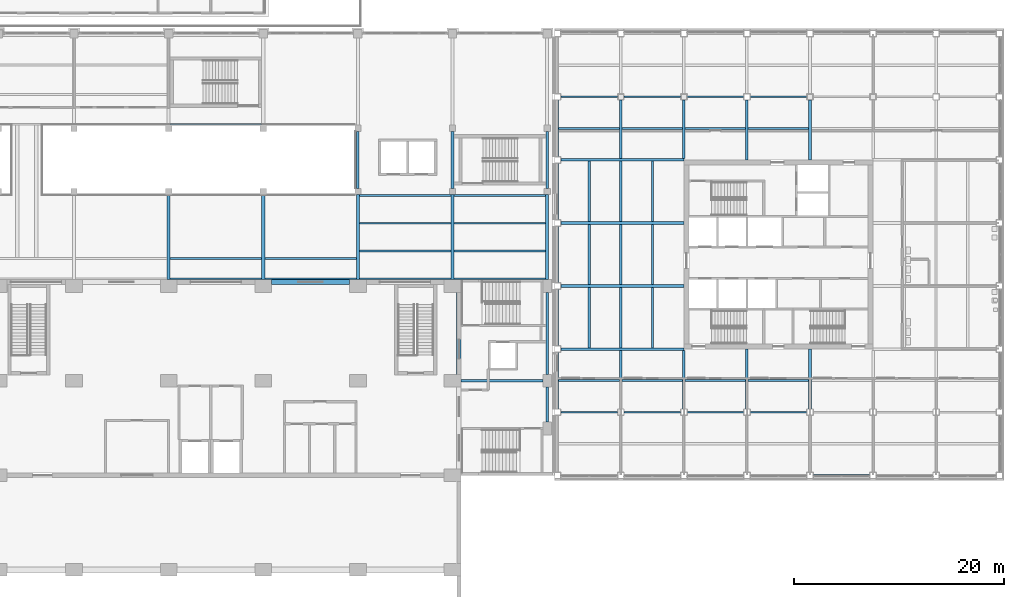
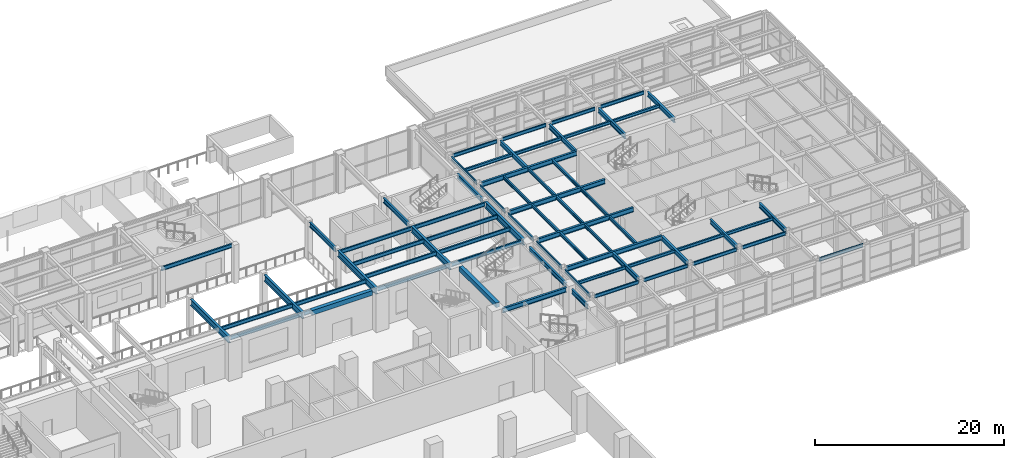
# One storey, part 11 of 67: 69 beams.
"""IFC4 building model written with IfcOpenShell, lengths in metres."""

from ifc_helpers import new_model, si_unit, direction, frame, origin, origin_2d, place, context, subcontext, project, spatial, rectangle, i_section, extrude, material, material_profile, profile_set, type_object, element, save


model = new_model("IFC4")

# Units and contexts
model_context = context("Model", 3, precision=1e-05, world=origin(), true_north=direction((0.0, 1.0)))
body_context = subcontext(model_context, "Body", "Model", "MODEL_VIEW")
ifc_project = project(units=[si_unit("LENGTHUNIT", "METRE"), si_unit("AREAUNIT", "SQUARE_METRE"), si_unit("VOLUMEUNIT", "CUBIC_METRE"), si_unit("PLANEANGLEUNIT", "RADIAN"), si_unit("MASSUNIT", "GRAM", prefix="KILO")], contexts=[model_context])

# Site, building, storey
site_placement = place(None, origin())
site = spatial("IfcSite", under=ifc_project, at=site_placement, CompositionType="ELEMENT")
building_placement = place(site_placement, origin())
building = spatial("IfcBuilding", under=site, at=building_placement, Name="Aravalli Gate Trade Fair Centre", CompositionType="ELEMENT")
storey_placement = place(building_placement, frame((0.0, 0.0, 5.0)))
storey = spatial("IfcBuildingStorey", under=building, at=storey_placement, Name="L01", CompositionType="ELEMENT", Elevation=5.0)

# Beams
ifc_material_1 = material(Name="Concrete M45", Category="concrete")
ifc_material_profile_1 = material_profile(ifc_material_1, rectangle(XDim=0.449951171875, YDim=0.60009765625, at=origin_2d()), Name="RC 450x600")
ifc_profile_set_1 = profile_set([ifc_material_profile_1], Name="Concrete M45")
beam_type_1 = type_object("IfcBeamType", Name="Congress RC lintel beam 450 x 600", PredefinedType="BEAM", material=ifc_profile_set_1)
beam_1_placement = place(storey_placement, frame((150.60009765625, 100.60009765625, 4.699951171875), z_axis=(0.0, 1.0, 0.0), x_axis=(-1.0, 0.0, 0.0)))
element("IfcBeam", 1, at=beam_1_placement, inside=storey, type_object=beam_type_1, Name="Lintel E L01 bay 7", PredefinedType="BEAM", context=body_context, shape_type="SweptSolid", body=[
    extrude(rectangle(XDim=0.449951171875, YDim=0.60009765625, at=origin_2d()), origin(), (0.0, 0.0, 1.0), 7.7998046875),
])
beam_2_placement = place(storey_placement, frame((132.800048828125, 109.375, 4.699951171875), z_axis=(1.0, 0.0, 0.0), x_axis=(0.0, 1.0, 0.0)))
element("IfcBeam", 2, at=beam_2_placement, inside=storey, type_object=beam_type_1, Name="Lintel N L01 bay 4", PredefinedType="BEAM", context=body_context, shape_type="SweptSolid", body=[
    extrude(rectangle(XDim=0.449951171875, YDim=0.60009765625, at=origin_2d()), origin(), (0.0, 0.0, 1.0), 7.39990234375),
])
ifc_material_2 = material(Name="Steel E350", Category="steel")
ifc_material_profile_2 = material_profile(ifc_material_2, i_section(OverallWidth=0.179931640625, OverallDepth=0.5, WebThickness=0.01025390625, FlangeThickness=0.01708984375, at=origin_2d()), Name="ISMB 500")
ifc_profile_set_2 = profile_set([ifc_material_profile_2], Name="Steel E350")
beam_type_2 = type_object("IfcBeamType", Name="ISMB 500 gallery secondary beam", PredefinedType="JOIST", material=ifc_profile_set_2)
for number, where, z_axis, x_axis, name in (
    (3, (123.14990234375, 109.68994140625, 4.550048828125), (1.0, 0.0, 0.0), (0.0, 1.0, 0.0), "Gallery beam S0 14-15 L02"),
    (4, (123.14990234375, 111.610107421875, 4.550048828125), (1.0, 0.0, 0.0), (0.0, 1.0, 0.0), "Gallery beam S1 14-15 L02"),
    (5, (123.14990234375, 124.389892578125, 4.550048828125), (1.0, 0.0, 0.0), (0.0, 1.0, 0.0), "Gallery beam N2 14-15 L02"),
    (6, (132.14990234375, 109.68994140625, 4.550048828125), (1.0, 0.0, 0.0), (0.0, 1.0, 0.0), "Gallery beam S0 15-16 L02"),
    (7, (132.14990234375, 111.610107421875, 4.550048828125), (1.0, 0.0, 0.0), (0.0, 1.0, 0.0), "Gallery beam S1 15-16 L02"),
    (8, (141.14990234375, 109.68994140625, 4.550048828125), (1.0, 0.0, 0.0), (0.0, 1.0, 0.0), "Gallery beam S0 16-17 L02"),
    (9, (141.14990234375, 112.330078125, 4.550048828125), (1.0, 0.0, 0.0), (0.0, 1.0, 0.0), "Gallery beam S1 16-17 L02"),
    (10, (141.14990234375, 114.969970703125, 4.550048828125), (1.0, 0.0, 0.0), (0.0, 1.0, 0.0), "Gallery beam S2 16-17 L02"),
    (11, (141.14990234375, 117.610107421875, 4.550048828125), (1.0, 0.0, 0.0), (0.0, 1.0, 0.0), "Gallery beam S3 16-17 L02"),
    (12, (150.14990234375, 109.68994140625, 4.550048828125), (1.0, 0.0, 0.0), (0.0, 1.0, 0.0), "Gallery beam S0 17-E L02"),
    (13, (150.14990234375, 112.330078125, 4.550048828125), (1.0, 0.0, 0.0), (0.0, 1.0, 0.0), "Gallery beam S1 17-E L02"),
    (14, (150.14990234375, 114.969970703125, 4.550048828125), (1.0, 0.0, 0.0), (0.0, 1.0, 0.0), "Gallery beam S2 17-E L02"),
    (15, (150.14990234375, 117.610107421875, 4.550048828125), (1.0, 0.0, 0.0), (0.0, 1.0, 0.0), "Gallery beam S3 17-E L02"),
):
    element("IfcBeam", number, at=place(storey_placement, frame(where, z_axis=z_axis, x_axis=x_axis)), inside=storey, type_object=beam_type_2, Name=name, PredefinedType="JOIST", context=body_context, shape_type="SweptSolid", body=[
        extrude(i_section(OverallWidth=0.179931640625, OverallDepth=0.5, WebThickness=0.01025390625, FlangeThickness=0.01708984375, at=origin_2d()), origin(), (0.0, 0.0, 1.0), 8.7001953125),
    ])
ifc_material_profile_3 = material_profile(ifc_material_2, i_section(OverallWidth=0.25, OverallDepth=0.60009765625, WebThickness=0.01123046875, FlangeThickness=0.021240234375, at=origin_2d()), Name="ISWB 600")
ifc_profile_set_3 = profile_set([ifc_material_profile_3], Name="Steel E350")
beam_type_3 = type_object("IfcBeamType", Name="ISWB 600 gallery girder", PredefinedType="BEAM", material=ifc_profile_set_3)
for number, where, z_axis, x_axis, name in (
    (16, (141.0, 118.300048828125, 4.5), (0.0, 1.0, 0.0), (-1.0, 0.0, 0.0), "Gallery girder M16 L02"),
    (17, (150.0, 118.300048828125, 4.5), (0.0, 1.0, 0.0), (-1.0, 0.0, 0.0), "Gallery girder M17 L02"),
    (18, (159.0, 118.300048828125, 4.5), (0.0, 1.0, 0.0), (-1.0, 0.0, 0.0), "Gallery girder ME L02"),
):
    element("IfcBeam", number, at=place(storey_placement, frame(where, z_axis=z_axis, x_axis=x_axis)), inside=storey, type_object=beam_type_3, Name=name, PredefinedType="BEAM", context=body_context, shape_type="SweptSolid", body=[
        extrude(i_section(OverallWidth=0.25, OverallDepth=0.60009765625, WebThickness=0.01123046875, FlangeThickness=0.021240234375, at=origin_2d()), origin(), (0.0, 0.0, 1.0), 5.39990234375),
    ])
ifc_material_profile_4 = material_profile(ifc_material_2, i_section(OverallWidth=0.2099609375, OverallDepth=0.60009765625, WebThickness=0.011962890625, FlangeThickness=0.020263671875, at=origin_2d()), Name="ISMB 600")
ifc_profile_set_4 = profile_set([ifc_material_profile_4], Name="Steel E350")
beam_type_4 = type_object("IfcBeamType", Name="Link girder ISMB 600", PredefinedType="BEAM", material=ifc_profile_set_4)
beam_3_placement = place(storey_placement, frame((159.0, 96.050048828125, 4.2900390625), z_axis=(0.0, 1.0, 0.0), x_axis=(-1.0, 0.0, 0.0)))
element("IfcBeam", 19, at=beam_3_placement, inside=storey, type_object=beam_type_4, Name="Link girder EFG L02", PredefinedType="BEAM", context=body_context, shape_type="SweptSolid", body=[
    extrude(i_section(OverallWidth=0.2099609375, OverallDepth=0.60009765625, WebThickness=0.011962890625, FlangeThickness=0.020263671875, at=origin_2d()), origin(), (0.0, 0.0, 1.0), 3.349853515625),
])
ifc_material_profile_5 = material_profile(ifc_material_2, i_section(OverallWidth=0.25, OverallDepth=0.60009765625, WebThickness=0.01123046875, FlangeThickness=0.021240234375, at=origin_2d()), Name="ISWB 600")
ifc_profile_set_5 = profile_set([ifc_material_profile_5], Name="Steel E350")
beam_type_5 = type_object("IfcBeamType", Name="Link transfer girder ISWB 600", PredefinedType="BEAM", material=ifc_profile_set_5)
beam_4_placement = place(storey_placement, frame((159.0, 100.60009765625, 4.2900390625), z_axis=(0.0, 1.0, 0.0), x_axis=(-1.0, 0.0, 0.0)))
element("IfcBeam", 20, at=beam_4_placement, inside=storey, type_object=beam_type_5, Name="Link transfer girder EGH L02", PredefinedType="BEAM", context=body_context, shape_type="SweptSolid", body=[
    extrude(i_section(OverallWidth=0.25, OverallDepth=0.60009765625, WebThickness=0.01123046875, FlangeThickness=0.021240234375, at=origin_2d()), origin(), (0.0, 0.0, 1.0), 7.7998046875),
])
beam_5_placement = place(storey_placement, frame((150.800048828125, 100.0, 4.2900390625), z_axis=(1.0, 0.0, 0.0), x_axis=(0.0, 1.0, 0.0)))
element("IfcBeam", 21, at=beam_5_placement, inside=storey, type_object=beam_type_5, Name="Link transfer girder WE L02", PredefinedType="BEAM", context=body_context, shape_type="SweptSolid", body=[
    extrude(i_section(OverallWidth=0.25, OverallDepth=0.60009765625, WebThickness=0.01123046875, FlangeThickness=0.021240234375, at=origin_2d()), origin(), (0.0, 0.0, 1.0), 7.800048828125),
])
ifc_material_profile_6 = material_profile(ifc_material_2, i_section(OverallWidth=0.300048828125, OverallDepth=0.800048828125, WebThickness=0.011962890625, FlangeThickness=0.02490234375, at=origin_2d()), Name="PG 800x300x12x25")
ifc_profile_set_6 = profile_set([ifc_material_profile_6], Name="Steel E350")
beam_type_6 = type_object("IfcBeamType", Name="PG 800x300x12x25 gallery plate girder", PredefinedType="BEAM", material=ifc_profile_set_6)
for number, where, z_axis, x_axis, name in (
    (22, (123.0, 109.60009765625, 4.39990234375), (0.0, 1.0, 0.0), (-1.0, 0.0, 0.0), "Gallery girder S14 L02"),
    (23, (132.0, 109.60009765625, 4.39990234375), (0.0, 1.0, 0.0), (-1.0, 0.0, 0.0), "Gallery girder S15 L02"),
    (24, (141.0, 109.60009765625, 4.39990234375), (0.0, 1.0, 0.0), (-1.0, 0.0, 0.0), "Gallery girder S16 L02"),
    (25, (150.0, 109.60009765625, 4.39990234375), (0.0, 1.0, 0.0), (-1.0, 0.0, 0.0), "Gallery girder S17 L02"),
    (26, (159.0, 109.60009765625, 4.39990234375), (0.0, 1.0, 0.0), (-1.0, 0.0, 0.0), "Gallery girder SE L02"),
):
    element("IfcBeam", number, at=place(storey_placement, frame(where, z_axis=z_axis, x_axis=x_axis)), inside=storey, type_object=beam_type_6, Name=name, PredefinedType="BEAM", context=body_context, shape_type="SweptSolid", body=[
        extrude(i_section(OverallWidth=0.300048828125, OverallDepth=0.800048828125, WebThickness=0.011962890625, FlangeThickness=0.02490234375, at=origin_2d()), origin(), (0.0, 0.0, 1.0), 8.099853515625),
    ])
ifc_material_profile_7 = material_profile(ifc_material_2, i_section(OverallWidth=0.25, OverallDepth=0.60009765625, WebThickness=0.01123046875, FlangeThickness=0.021240234375, at=origin_2d()), Name="ISWB 600")
ifc_profile_set_7 = profile_set([ifc_material_profile_7], Name="Steel E350")
beam_type_7 = type_object("IfcBeamType", Name="Wing core to perimeter girder ISWB 600 (podium floors)", PredefinedType="BEAM", material=ifc_profile_set_7)
for number, where, z_axis, x_axis, name in (
    (27, (160.300048828125, 103.0, 4.5), (1.0, 0.0, 0.0), (0.0, 1.0, 0.0), "Core to perimeter girder PW0 L02"),
    (28, (160.300048828125, 109.0, 4.5), (1.0, 0.0, 0.0), (0.0, 1.0, 0.0), "Core to perimeter girder PW1 L02"),
    (29, (160.300048828125, 115.0, 4.5), (1.0, 0.0, 0.0), (0.0, 1.0, 0.0), "Core to perimeter girder PW2 L02"),
    (30, (160.300048828125, 121.0, 4.5), (1.0, 0.0, 0.0), (0.0, 1.0, 0.0), "Core to perimeter girder PW3 L02"),
):
    element("IfcBeam", number, at=place(storey_placement, frame(where, z_axis=z_axis, x_axis=x_axis)), inside=storey, type_object=beam_type_7, Name=name, PredefinedType="BEAM", context=body_context, shape_type="SweptSolid", body=[
        extrude(i_section(OverallWidth=0.25, OverallDepth=0.60009765625, WebThickness=0.01123046875, FlangeThickness=0.021240234375, at=origin_2d()), origin(), (0.0, 0.0, 1.0), 11.699951171875),
    ])
for number, where, z_axis, x_axis, name in (
    (31, (172.0, 97.300048828125, 4.5), (0.0, 1.0, 0.0), (-1.0, 0.0, 0.0), "Core to perimeter girder PS0b L02"),
    (32, (172.0, 121.125, 4.5), (0.0, 1.0, 0.0), (-1.0, 0.0, 0.0), "Core to perimeter girder PN0a L02"),
):
    element("IfcBeam", number, at=place(storey_placement, frame(where, z_axis=z_axis, x_axis=x_axis)), inside=storey, type_object=beam_type_7, Name=name, PredefinedType="BEAM", context=body_context, shape_type="SweptSolid", body=[
        extrude(i_section(OverallWidth=0.25, OverallDepth=0.60009765625, WebThickness=0.01123046875, FlangeThickness=0.021240234375, at=origin_2d()), origin(), (0.0, 0.0, 1.0), 5.574951171875),
    ])
for number, where, z_axis, x_axis, name in (
    (33, (178.0, 97.300048828125, 4.5), (0.0, 1.0, 0.0), (-1.0, 0.0, 0.0), "Core to perimeter girder PS1b L02"),
    (34, (178.0, 121.0, 4.5), (0.0, 1.0, 0.0), (-1.0, 0.0, 0.0), "Core to perimeter girder PN1a L02"),
    (35, (184.0, 97.300048828125, 4.5), (0.0, 1.0, 0.0), (-1.0, 0.0, 0.0), "Core to perimeter girder PS2b L02"),
    (36, (184.0, 121.0, 4.5), (0.0, 1.0, 0.0), (-1.0, 0.0, 0.0), "Core to perimeter girder PN2a L02"),
):
    element("IfcBeam", number, at=place(storey_placement, frame(where, z_axis=z_axis, x_axis=x_axis)), inside=storey, type_object=beam_type_7, Name=name, PredefinedType="BEAM", context=body_context, shape_type="SweptSolid", body=[
        extrude(i_section(OverallWidth=0.25, OverallDepth=0.60009765625, WebThickness=0.01123046875, FlangeThickness=0.021240234375, at=origin_2d()), origin(), (0.0, 0.0, 1.0), 5.699951171875),
    ])
ifc_material_profile_8 = material_profile(ifc_material_2, i_section(OverallWidth=0.25, OverallDepth=0.60009765625, WebThickness=0.01123046875, FlangeThickness=0.021240234375, at=origin_2d()), Name="ISWB 600")
ifc_profile_set_8 = profile_set([ifc_material_profile_8], Name="Steel E350")
beam_type_8 = type_object("IfcBeamType", Name="Wing corner transfer girder ISWB 600 (podium floors)", PredefinedType="BEAM", material=ifc_profile_set_8)
for number, where, z_axis, x_axis, name in (
    (37, (166.0, 97.300048828125, 4.5), (0.0, 1.0, 0.0), (-1.0, 0.0, 0.0), "Corner transfer girder CSWyb L02"),
    (38, (166.0, 121.125, 4.5), (0.0, 1.0, 0.0), (-1.0, 0.0, 0.0), "Corner transfer girder CNWya L02"),
):
    element("IfcBeam", number, at=place(storey_placement, frame(where, z_axis=z_axis, x_axis=x_axis)), inside=storey, type_object=beam_type_8, Name=name, PredefinedType="BEAM", context=body_context, shape_type="SweptSolid", body=[
        extrude(i_section(OverallWidth=0.25, OverallDepth=0.60009765625, WebThickness=0.01123046875, FlangeThickness=0.021240234375, at=origin_2d()), origin(), (0.0, 0.0, 1.0), 5.574951171875),
    ])
ifc_material_profile_9 = material_profile(ifc_material_2, i_section(OverallWidth=0.14990234375, OverallDepth=0.449951171875, WebThickness=0.009521484375, FlangeThickness=0.017333984375, at=origin_2d()), Name="ISMB 450")
ifc_profile_set_9 = profile_set([ifc_material_profile_9], Name="Steel E350")
beam_type_9 = type_object("IfcBeamType", Name="Wing perimeter beam ISMB 450 (podium floors)", PredefinedType="BEAM", material=ifc_profile_set_9)
for number, where, z_axis, x_axis, name in (
    (39, (184.300048828125, 91.0, 4.574951171875), (1.0, 0.0, 0.0), (0.0, 1.0, 0.0), "Perimeter beam ES4 L02"),
    (40, (160.300048828125, 97.0, 4.574951171875), (1.0, 0.0, 0.0), (0.0, 1.0, 0.0), "Perimeter beam ER0 L02"),
    (41, (160.300048828125, 127.0, 4.574951171875), (1.0, 0.0, 0.0), (0.0, 1.0, 0.0), "Perimeter beam EQ0 L02"),
    (42, (166.300048828125, 97.0, 4.574951171875), (1.0, 0.0, 0.0), (0.0, 1.0, 0.0), "Perimeter beam ER1 L02"),
    (43, (166.300048828125, 127.0, 4.574951171875), (1.0, 0.0, 0.0), (0.0, 1.0, 0.0), "Perimeter beam EQ1 L02"),
    (44, (172.300048828125, 97.0, 4.574951171875), (1.0, 0.0, 0.0), (0.0, 1.0, 0.0), "Perimeter beam ER2 L02"),
    (45, (172.300048828125, 127.0, 4.574951171875), (1.0, 0.0, 0.0), (0.0, 1.0, 0.0), "Perimeter beam EQ2 L02"),
    (46, (178.300048828125, 97.0, 4.574951171875), (1.0, 0.0, 0.0), (0.0, 1.0, 0.0), "Perimeter beam ER3 L02"),
    (47, (178.300048828125, 127.0, 4.574951171875), (1.0, 0.0, 0.0), (0.0, 1.0, 0.0), "Perimeter beam EQ3 L02"),
    (48, (160.0, 97.300048828125, 4.574951171875), (0.0, 1.0, 0.0), (-1.0, 0.0, 0.0), "Perimeter beam EW1 L02"),
    (49, (160.0, 103.300048828125, 4.574951171875), (0.0, 1.0, 0.0), (-1.0, 0.0, 0.0), "Perimeter beam EW2 L02"),
    (50, (160.0, 109.300048828125, 4.574951171875), (0.0, 1.0, 0.0), (-1.0, 0.0, 0.0), "Perimeter beam EW3 L02"),
    (51, (160.0, 115.300048828125, 4.574951171875), (0.0, 1.0, 0.0), (-1.0, 0.0, 0.0), "Perimeter beam EW4 L02"),
    (52, (160.0, 121.300048828125, 4.574951171875), (0.0, 1.0, 0.0), (-1.0, 0.0, 0.0), "Perimeter beam EW5 L02"),
):
    element("IfcBeam", number, at=place(storey_placement, frame(where, z_axis=z_axis, x_axis=x_axis)), inside=storey, type_object=beam_type_9, Name=name, PredefinedType="BEAM", context=body_context, shape_type="SweptSolid", body=[
        extrude(i_section(OverallWidth=0.14990234375, OverallDepth=0.449951171875, WebThickness=0.009521484375, FlangeThickness=0.017333984375, at=origin_2d()), origin(), (0.0, 0.0, 1.0), 5.39990234375),
    ])
ifc_material_profile_10 = material_profile(ifc_material_2, i_section(OverallWidth=0.199951171875, OverallDepth=0.39990234375, WebThickness=0.008544921875, FlangeThickness=0.012939453125, at=origin_2d()), Name="ISWB 400")
ifc_profile_set_10 = profile_set([ifc_material_profile_10], Name="Steel E350")
beam_type_10 = type_object("IfcBeamType", Name="Wing secondary beam ISWB 400 (podium floors)", PredefinedType="BEAM", material=ifc_profile_set_10)
beam_6_placement = place(storey_placement, frame((160.074951171875, 100.0, 4.60009765625), z_axis=(1.0, 0.0, 0.0), x_axis=(0.0, 1.0, 0.0)))
element("IfcBeam", 53, at=beam_6_placement, inside=storey, type_object=beam_type_10, Name="Secondary beam KWS10 L02", PredefinedType="BEAM", context=body_context, shape_type="SweptSolid", body=[
    extrude(i_section(OverallWidth=0.199951171875, OverallDepth=0.39990234375, WebThickness=0.008544921875, FlangeThickness=0.012939453125, at=origin_2d()), origin(), (0.0, 0.0, 1.0), 5.800048828125),
])
beam_7_placement = place(storey_placement, frame((166.125, 100.0, 4.60009765625), z_axis=(1.0, 0.0, 0.0), x_axis=(0.0, 1.0, 0.0)))
element("IfcBeam", 54, at=beam_7_placement, inside=storey, type_object=beam_type_10, Name="Secondary beam KWS11 L02", PredefinedType="BEAM", context=body_context, shape_type="SweptSolid", body=[
    extrude(i_section(OverallWidth=0.199951171875, OverallDepth=0.39990234375, WebThickness=0.008544921875, FlangeThickness=0.012939453125, at=origin_2d()), origin(), (0.0, 0.0, 1.0), 5.75),
])
beam_8_placement = place(storey_placement, frame((160.074951171875, 124.0, 4.60009765625), z_axis=(1.0, 0.0, 0.0), x_axis=(0.0, 1.0, 0.0)))
element("IfcBeam", 55, at=beam_8_placement, inside=storey, type_object=beam_type_10, Name="Secondary beam KWN00 L02", PredefinedType="BEAM", context=body_context, shape_type="SweptSolid", body=[
    extrude(i_section(OverallWidth=0.199951171875, OverallDepth=0.39990234375, WebThickness=0.008544921875, FlangeThickness=0.012939453125, at=origin_2d()), origin(), (0.0, 0.0, 1.0), 5.800048828125),
])
for number, where, z_axis, x_axis, name in (
    (56, (166.125, 124.0, 4.60009765625), (1.0, 0.0, 0.0), (0.0, 1.0, 0.0), "Secondary beam KWN01 L02"),
    (57, (163.0, 103.125, 4.60009765625), (0.0, 1.0, 0.0), (-1.0, 0.0, 0.0), "Secondary beam BW0163 L02"),
    (58, (166.0, 103.125, 4.60009765625), (0.0, 1.0, 0.0), (-1.0, 0.0, 0.0), "Secondary beam BW0166 L02"),
    (59, (169.0, 103.125, 4.60009765625), (0.0, 1.0, 0.0), (-1.0, 0.0, 0.0), "Secondary beam BW0169 L02"),
    (60, (163.0, 109.125, 4.60009765625), (0.0, 1.0, 0.0), (-1.0, 0.0, 0.0), "Secondary beam BW1163 L02"),
    (61, (166.0, 109.125, 4.60009765625), (0.0, 1.0, 0.0), (-1.0, 0.0, 0.0), "Secondary beam BW1166 L02"),
    (62, (169.0, 109.125, 4.60009765625), (0.0, 1.0, 0.0), (-1.0, 0.0, 0.0), "Secondary beam BW1169 L02"),
    (63, (163.0, 115.125, 4.60009765625), (0.0, 1.0, 0.0), (-1.0, 0.0, 0.0), "Secondary beam BW2163 L02"),
    (64, (166.0, 115.125, 4.60009765625), (0.0, 1.0, 0.0), (-1.0, 0.0, 0.0), "Secondary beam BW2166 L02"),
    (65, (169.0, 115.125, 4.60009765625), (0.0, 1.0, 0.0), (-1.0, 0.0, 0.0), "Secondary beam BW2169 L02"),
    (66, (172.125, 100.0, 4.60009765625), (1.0, 0.0, 0.0), (0.0, 1.0, 0.0), "Secondary beam BS0100 L02"),
    (67, (178.125, 100.0, 4.60009765625), (1.0, 0.0, 0.0), (0.0, 1.0, 0.0), "Secondary beam BS1100 L02"),
    (68, (172.125, 124.0, 4.60009765625), (1.0, 0.0, 0.0), (0.0, 1.0, 0.0), "Secondary beam BN0124 L02"),
    (69, (178.125, 124.0, 4.60009765625), (1.0, 0.0, 0.0), (0.0, 1.0, 0.0), "Secondary beam BN1124 L02"),
):
    element("IfcBeam", number, at=place(storey_placement, frame(where, z_axis=z_axis, x_axis=x_axis)), inside=storey, type_object=beam_type_10, Name=name, PredefinedType="BEAM", context=body_context, shape_type="SweptSolid", body=[
        extrude(i_section(OverallWidth=0.199951171875, OverallDepth=0.39990234375, WebThickness=0.008544921875, FlangeThickness=0.012939453125, at=origin_2d()), origin(), (0.0, 0.0, 1.0), 5.75),
    ])

save(model, "model.ifc")
